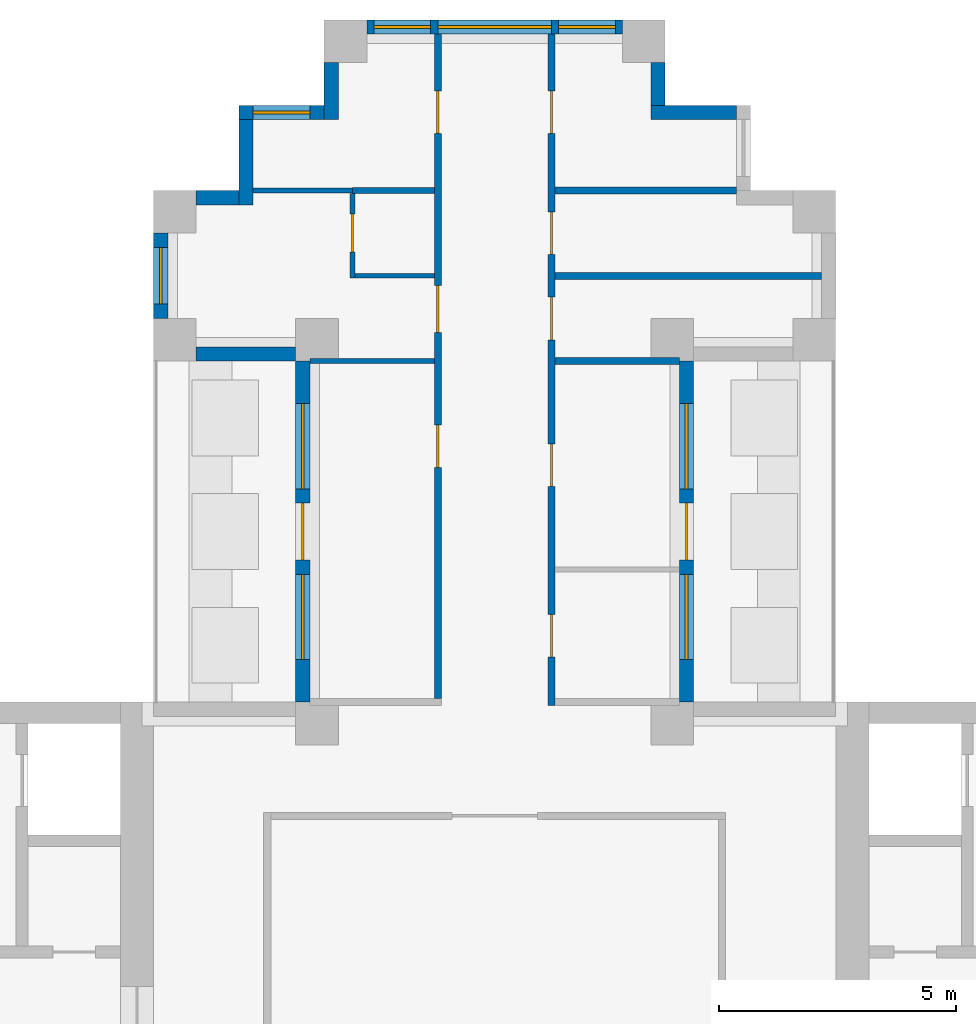
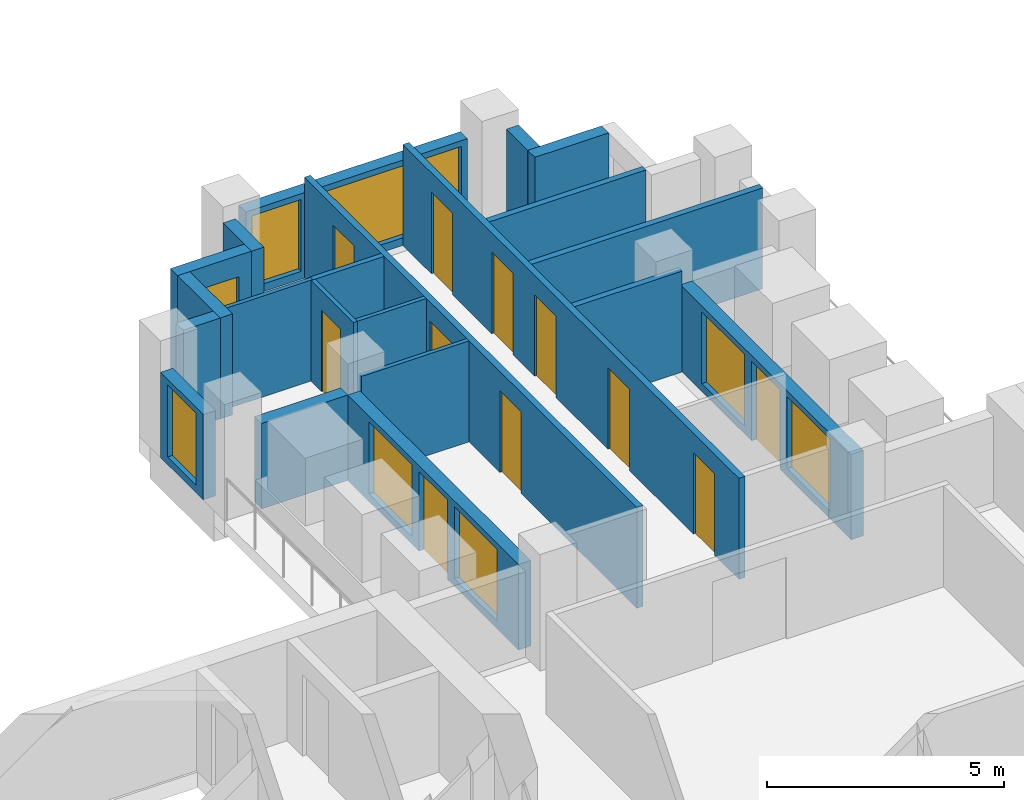
# One storey, part 7 of 11: 21 walls, 11 doors, 9 windows, 20 openings.
"""IFC4 building model written with IfcOpenShell, lengths in metres."""

from ifc_helpers import new_model, si_unit, direction, frame, frame_2d, origin, place, context, subcontext, project, spatial, rectangle, extrude, material, layer, layer_set, type_object, element, fill, save


model = new_model("IFC4")

# Units and contexts
model_context = context("Model", 3, precision=1e-05, world=origin(), true_north=direction((0.0, 1.0)))
body_context = subcontext(model_context, "Body", "Model", "MODEL_VIEW")
ifc_project = project(units=[si_unit("LENGTHUNIT", "METRE"), si_unit("AREAUNIT", "SQUARE_METRE"), si_unit("VOLUMEUNIT", "CUBIC_METRE"), si_unit("PLANEANGLEUNIT", "RADIAN"), si_unit("MASSUNIT", "GRAM", prefix="KILO")], contexts=[model_context])

# Site, building, storey
site_placement = place(None, origin())
site = spatial("IfcSite", under=ifc_project, at=site_placement, CompositionType="ELEMENT")
building_placement = place(site_placement, origin())
building = spatial("IfcBuilding", under=site, at=building_placement, Name="Fustian Cross Tower", CompositionType="ELEMENT")
storey_placement = place(building_placement, frame((0.0, 0.0, 120.300048828125)))
storey = spatial("IfcBuildingStorey", under=building, at=storey_placement, Name="L37", CompositionType="ELEMENT", Elevation=120.300048828125)

# Wall, openings, doors
ifc_material_1 = material(Name="Plasterboard on steel stud", Category="steel")
ifc_layer_1 = layer(ifc_material_1, 0.14990234375)
ifc_layer_set_1 = layer_set([ifc_layer_1], Name="Plasterboard on steel stud")
wall_type_1 = type_object("IfcWallType", Name="COMPARTMENT WALL 150 EI 60", PredefinedType="PARTITIONING", material=ifc_layer_set_1)
wall_1_placement = place(storey_placement, frame((-1.199951171875, 7.27490234375, 0.0), z_axis=(0.0, 0.0, 1.0), x_axis=(0.0, 1.0, 0.0)))
wall_1 = element("IfcWall", 1, at=wall_1_placement, inside=storey, type_object=wall_type_1, Name="Partition 33", PredefinedType="PARTITIONING", context=body_context, shape_type="SweptSolid", body=[
    extrude(rectangle(XDim=14.025146484375, YDim=0.14990234375, at=frame_2d((7.0126953125, 0.0))), origin(), (0.0, 0.0, 1.0), 2.599853515625),
])
opening_1_placement = place(wall_1_placement, frame((4.875, 0.0, 0.0)))
opening_1 = element("IfcOpeningElement", 2, at=opening_1_placement, cuts=wall_1, Name="Opening D18014", PredefinedType="OPENING", context=body_context, shape_type="SweptSolid", body=[
    extrude(rectangle(XDim=0.89990234375, YDim=2.10009765625, at=frame_2d((0.449951171875, 1.050048828125))), frame((0.0, 0.0849609375, 0.0), z_axis=(0.0, -1.0, 0.0), x_axis=(1.0, 0.0, 0.0)), (0.0, 0.0, 1.0), 0.169921875),
])
opening_2_placement = place(wall_1_placement, frame((7.72509765625, 0.0, 0.0)))
opening_2 = element("IfcOpeningElement", 3, at=opening_2_placement, cuts=wall_1, Name="Opening D18016", PredefinedType="OPENING", context=body_context, shape_type="SweptSolid", body=[
    extrude(rectangle(XDim=1.0, YDim=2.10009765625, at=frame_2d((0.5, 1.050048828125))), frame((0.0, 0.0849609375, 0.0), z_axis=(0.0, -1.0, 0.0), x_axis=(1.0, 0.0, 0.0)), (0.0, 0.0, 1.0), 0.169921875),
])
opening_3_placement = place(wall_1_placement, frame((11.925048828125, 0.0, 0.0)))
opening_3 = element("IfcOpeningElement", 4, at=opening_3_placement, cuts=wall_1, Name="Opening D18017", PredefinedType="OPENING", context=body_context, shape_type="SweptSolid", body=[
    extrude(rectangle(XDim=0.89990234375, YDim=2.10009765625, at=frame_2d((0.449951171875, 1.050048828125))), frame((0.0, 0.0849609375, 0.0), z_axis=(0.0, -1.0, 0.0), x_axis=(1.0, 0.0, 0.0)), (0.0, 0.0, 1.0), 0.169921875),
])
ifc_material_2 = material(Name="Timber fire door set", Category="wood")
door_type_1 = type_object("IfcDoorType", Name="FIRE SWING DOOR 1000 FD30S", OperationType="SINGLE_SWING_LEFT", PredefinedType="DOOR", material=ifc_material_2)
door_1_placement = place(opening_2_placement, origin())
door_1 = element("IfcDoor", 5, at=door_1_placement, inside=storey, type_object=door_type_1, Name="Door D18016", OperationType="SINGLE_SWING_RIGHT", OverallHeight=2.10009765625, OverallWidth=1.0, PredefinedType="DOOR", context=body_context, shape_type="SweptSolid", body=[
    extrude(rectangle(XDim=1.0, YDim=2.10009765625, at=frame_2d((0.5, 1.050048828125))), frame((0.0, 0.02490234375, 0.0), z_axis=(0.0, -1.0, 0.0), x_axis=(1.0, 0.0, 0.0)), (0.0, 0.0, 1.0), 0.050048828125),
])
fill(opening_2, door_1)
ifc_material_3 = material(Name="Timber fire door set", Category="wood")
door_type_2 = type_object("IfcDoorType", Name="FIRE SWING DOOR 900 FD30S", OperationType="SINGLE_SWING_LEFT", PredefinedType="DOOR", material=ifc_material_3)
door_2_placement = place(opening_1_placement, origin())
door_2 = element("IfcDoor", 6, at=door_2_placement, inside=storey, type_object=door_type_2, Name="Door D18014", OperationType="SINGLE_SWING_RIGHT", OverallHeight=2.10009765625, OverallWidth=0.89990234375, PredefinedType="DOOR", context=body_context, shape_type="SweptSolid", body=[
    extrude(rectangle(XDim=0.89990234375, YDim=2.10009765625, at=frame_2d((0.449951171875, 1.050048828125))), frame((0.0, 0.02490234375, 0.0), z_axis=(0.0, -1.0, 0.0), x_axis=(1.0, 0.0, 0.0)), (0.0, 0.0, 1.0), 0.050048828125),
])
fill(opening_1, door_2)
door_3_placement = place(opening_3_placement, origin())
door_3 = element("IfcDoor", 7, at=door_3_placement, inside=storey, type_object=door_type_2, Name="Door D18017", OperationType="SINGLE_SWING_LEFT", OverallHeight=2.10009765625, OverallWidth=0.89990234375, PredefinedType="DOOR", context=body_context, shape_type="SweptSolid", body=[
    extrude(rectangle(XDim=0.89990234375, YDim=2.10009765625, at=frame_2d((0.449951171875, 1.050048828125))), frame((0.0, 0.02490234375, 0.0), z_axis=(0.0, -1.0, 0.0), x_axis=(1.0, 0.0, 0.0)), (0.0, 0.0, 1.0), 0.050048828125),
])
fill(opening_3, door_3)

wall_2_placement = place(storey_placement, frame((1.199951171875, 7.125, 0.0), z_axis=(0.0, 0.0, 1.0), x_axis=(0.0, 1.0, 0.0)))
wall_2 = element("IfcWall", 8, at=wall_2_placement, inside=storey, type_object=wall_type_1, Name="Partition 42", PredefinedType="PARTITIONING", context=body_context, shape_type="SweptSolid", body=[
    extrude(rectangle(XDim=14.175048828125, YDim=0.14990234375, at=frame_2d((7.08740234375, 0.0))), origin(), (0.0, 0.0, 1.0), 2.599853515625),
])
opening_4_placement = place(wall_2_placement, frame((1.02490234375, 0.0, 0.0)))
opening_4 = element("IfcOpeningElement", 9, at=opening_4_placement, cuts=wall_2, Name="Opening D18018", PredefinedType="OPENING", context=body_context, shape_type="SweptSolid", body=[
    extrude(rectangle(XDim=0.89990234375, YDim=2.10009765625, at=frame_2d((0.449951171875, 1.050048828125))), frame((0.0, 0.0849609375, 0.0), z_axis=(0.0, -1.0, 0.0), x_axis=(1.0, 0.0, 0.0)), (0.0, 0.0, 1.0), 0.169921875),
])
opening_5_placement = place(wall_2_placement, frame((4.625, 0.0, 0.0)))
opening_5 = element("IfcOpeningElement", 10, at=opening_5_placement, cuts=wall_2, Name="Opening D18019", PredefinedType="OPENING", context=body_context, shape_type="SweptSolid", body=[
    extrude(rectangle(XDim=0.89990234375, YDim=2.10009765625, at=frame_2d((0.449951171875, 1.050048828125))), frame((0.0, 0.0849609375, 0.0), z_axis=(0.0, -1.0, 0.0), x_axis=(1.0, 0.0, 0.0)), (0.0, 0.0, 1.0), 0.169921875),
])
opening_6_placement = place(wall_2_placement, frame((7.72509765625, 0.0, 0.0)))
opening_6 = element("IfcOpeningElement", 11, at=opening_6_placement, cuts=wall_2, Name="Opening D18020", PredefinedType="OPENING", context=body_context, shape_type="SweptSolid", body=[
    extrude(rectangle(XDim=0.89990234375, YDim=2.10009765625, at=frame_2d((0.449951171875, 1.050048828125))), frame((0.0, 0.0849609375, 0.0), z_axis=(0.0, -1.0, 0.0), x_axis=(1.0, 0.0, 0.0)), (0.0, 0.0, 1.0), 0.169921875),
])
opening_7_placement = place(wall_2_placement, frame((9.52490234375, 0.0, 0.0)))
opening_7 = element("IfcOpeningElement", 12, at=opening_7_placement, cuts=wall_2, Name="Opening D18021", PredefinedType="OPENING", context=body_context, shape_type="SweptSolid", body=[
    extrude(rectangle(XDim=0.89990234375, YDim=2.10009765625, at=frame_2d((0.449951171875, 1.050048828125))), frame((0.0, 0.0849609375, 0.0), z_axis=(0.0, -1.0, 0.0), x_axis=(1.0, 0.0, 0.0)), (0.0, 0.0, 1.0), 0.169921875),
])
opening_8_placement = place(wall_2_placement, frame((12.074951171875, 0.0, 0.0)))
opening_8 = element("IfcOpeningElement", 13, at=opening_8_placement, cuts=wall_2, Name="Opening D18022", PredefinedType="OPENING", context=body_context, shape_type="SweptSolid", body=[
    extrude(rectangle(XDim=0.89990234375, YDim=2.10009765625, at=frame_2d((0.449951171875, 1.050048828125))), frame((0.0, 0.0849609375, 0.0), z_axis=(0.0, -1.0, 0.0), x_axis=(1.0, 0.0, 0.0)), (0.0, 0.0, 1.0), 0.169921875),
])
door_4_placement = place(opening_4_placement, frame((0.89990234375, 0.0, 0.0), z_axis=(0.0, 0.0, 1.0), x_axis=(-1.0, 0.0, 0.0)))
door_4 = element("IfcDoor", 14, at=door_4_placement, inside=storey, type_object=door_type_2, Name="Door D18018", OperationType="SINGLE_SWING_RIGHT", OverallHeight=2.10009765625, OverallWidth=0.89990234375, PredefinedType="DOOR", context=body_context, shape_type="SweptSolid", body=[
    extrude(rectangle(XDim=0.89990234375, YDim=2.10009765625, at=frame_2d((0.449951171875, 1.050048828125))), frame((0.0, 0.02490234375, 0.0), z_axis=(0.0, -1.0, 0.0), x_axis=(1.0, 0.0, 0.0)), (0.0, 0.0, 1.0), 0.050048828125),
])
fill(opening_4, door_4)
door_5_placement = place(opening_5_placement, frame((0.89990234375, 0.0, 0.0), z_axis=(0.0, 0.0, 1.0), x_axis=(-1.0, 0.0, 0.0)))
door_5 = element("IfcDoor", 15, at=door_5_placement, inside=storey, type_object=door_type_2, Name="Door D18019", OperationType="SINGLE_SWING_RIGHT", OverallHeight=2.10009765625, OverallWidth=0.89990234375, PredefinedType="DOOR", context=body_context, shape_type="SweptSolid", body=[
    extrude(rectangle(XDim=0.89990234375, YDim=2.10009765625, at=frame_2d((0.449951171875, 1.050048828125))), frame((0.0, 0.02490234375, 0.0), z_axis=(0.0, -1.0, 0.0), x_axis=(1.0, 0.0, 0.0)), (0.0, 0.0, 1.0), 0.050048828125),
])
fill(opening_5, door_5)
door_6_placement = place(opening_6_placement, origin())
door_6 = element("IfcDoor", 16, at=door_6_placement, inside=storey, type_object=door_type_2, Name="Door D18020", OperationType="SINGLE_SWING_RIGHT", OverallHeight=2.10009765625, OverallWidth=0.89990234375, PredefinedType="DOOR", context=body_context, shape_type="SweptSolid", body=[
    extrude(rectangle(XDim=0.89990234375, YDim=2.10009765625, at=frame_2d((0.449951171875, 1.050048828125))), frame((0.0, 0.02490234375, 0.0), z_axis=(0.0, -1.0, 0.0), x_axis=(1.0, 0.0, 0.0)), (0.0, 0.0, 1.0), 0.050048828125),
])
fill(opening_6, door_6)
door_7_placement = place(opening_7_placement, frame((0.89990234375, 0.0, 0.0), z_axis=(0.0, 0.0, 1.0), x_axis=(-1.0, 0.0, 0.0)))
door_7 = element("IfcDoor", 17, at=door_7_placement, inside=storey, type_object=door_type_2, Name="Door D18021", OperationType="SINGLE_SWING_LEFT", OverallHeight=2.10009765625, OverallWidth=0.89990234375, PredefinedType="DOOR", context=body_context, shape_type="SweptSolid", body=[
    extrude(rectangle(XDim=0.89990234375, YDim=2.10009765625, at=frame_2d((0.449951171875, 1.050048828125))), frame((0.0, 0.02490234375, 0.0), z_axis=(0.0, -1.0, 0.0), x_axis=(1.0, 0.0, 0.0)), (0.0, 0.0, 1.0), 0.050048828125),
])
fill(opening_7, door_7)
door_8_placement = place(opening_8_placement, frame((0.89990234375, 0.0, 0.0), z_axis=(0.0, 0.0, 1.0), x_axis=(-1.0, 0.0, 0.0)))
door_8 = element("IfcDoor", 18, at=door_8_placement, inside=storey, type_object=door_type_2, Name="Door D18022", OperationType="SINGLE_SWING_RIGHT", OverallHeight=2.10009765625, OverallWidth=0.89990234375, PredefinedType="DOOR", context=body_context, shape_type="SweptSolid", body=[
    extrude(rectangle(XDim=0.89990234375, YDim=2.10009765625, at=frame_2d((0.449951171875, 1.050048828125))), frame((0.0, 0.02490234375, 0.0), z_axis=(0.0, -1.0, 0.0), x_axis=(1.0, 0.0, 0.0)), (0.0, 0.0, 1.0), 0.050048828125),
])
fill(opening_8, door_8)

# Walls
wall_3_placement = place(storey_placement, frame((1.27490234375, 14.39990234375, 0.0), z_axis=(0.0, 0.0, 1.0), x_axis=(1.0, 0.0, 0.0)))
element("IfcWall", 19, at=wall_3_placement, inside=storey, type_object=wall_type_1, Name="Partition 45", PredefinedType="PARTITIONING", context=body_context, shape_type="SweptSolid", body=[
    extrude(rectangle(XDim=2.625, YDim=0.14990234375, at=frame_2d((1.3125, 0.0))), origin(), (0.0, 0.0, 1.0), 2.599853515625),
])
wall_4_placement = place(storey_placement, frame((1.27490234375, 16.199951171875, 0.0), z_axis=(0.0, 0.0, 1.0), x_axis=(1.0, 0.0, 0.0)))
element("IfcWall", 20, at=wall_4_placement, inside=storey, type_object=wall_type_1, Name="Partition 46", PredefinedType="PARTITIONING", context=body_context, shape_type="SweptSolid", body=[
    extrude(rectangle(XDim=5.625, YDim=0.14990234375, at=frame_2d((2.8125, 0.0))), origin(), (0.0, 0.0, 1.0), 2.599853515625),
])
wall_5_placement = place(storey_placement, frame((1.27490234375, 18.0, 0.0), z_axis=(0.0, 0.0, 1.0), x_axis=(1.0, 0.0, 0.0)))
element("IfcWall", 21, at=wall_5_placement, inside=storey, type_object=wall_type_1, Name="Partition 47", PredefinedType="PARTITIONING", context=body_context, shape_type="SweptSolid", body=[
    extrude(rectangle(XDim=3.8251953125, YDim=0.14990234375, at=frame_2d((1.91259765625, 0.0))), origin(), (0.0, 0.0, 1.0), 2.599853515625),
])
ifc_material_4 = material(Name="Plasterboard on steel stud", Category="steel")
ifc_layer_2 = layer(ifc_material_4, 0.10009765625)
ifc_layer_set_2 = layer_set([ifc_layer_2], Name="Plasterboard on steel stud")
wall_type_2 = type_object("IfcWallType", Name="PARTITION 100 STUD", PredefinedType="PARTITIONING", material=ifc_layer_set_2)
wall_6_placement = place(storey_placement, frame((-5.10009765625, 18.0, 0.0), z_axis=(0.0, 0.0, 1.0), x_axis=(1.0, 0.0, 0.0)))
element("IfcWall", 22, at=wall_6_placement, inside=storey, type_object=wall_type_2, Name="Partition 16", PredefinedType="PARTITIONING", context=body_context, shape_type="SweptSolid", body=[
    extrude(rectangle(XDim=2.10009765625, YDim=0.10009765625, at=frame_2d((1.050048828125, 0.0))), origin(), (0.0, 0.0, 1.0), 2.599853515625),
])
wall_7_placement = place(storey_placement, frame((-3.89990234375, 14.39990234375, 0.0), z_axis=(0.0, 0.0, 1.0), x_axis=(1.0, 0.0, 0.0)))
element("IfcWall", 23, at=wall_7_placement, inside=storey, type_object=wall_type_2, Name="Partition 24", PredefinedType="PARTITIONING", context=body_context, shape_type="SweptSolid", body=[
    extrude(rectangle(XDim=2.625, YDim=0.10009765625, at=frame_2d((1.3125, 0.0))), origin(), (0.0, 0.0, 1.0), 2.599853515625),
])

# Wall, opening, door
wall_8_placement = place(storey_placement, frame((-3.0, 16.14990234375, 0.0), z_axis=(0.0, 0.0, 1.0), x_axis=(0.0, 1.0, 0.0)))
wall_8 = element("IfcWall", 24, at=wall_8_placement, inside=storey, type_object=wall_type_2, Name="Partition 28", PredefinedType="PARTITIONING", context=body_context, shape_type="SweptSolid", body=[
    extrude(rectangle(XDim=1.78759765625, YDim=0.10009765625, at=frame_2d((0.893798828125, 0.0))), origin(), (0.0, 0.0, 1.0), 2.599853515625),
])
opening_9_placement = place(wall_8_placement, frame((0.550048828125, 0.0, 0.0)))
opening_9 = element("IfcOpeningElement", 25, at=opening_9_placement, cuts=wall_8, Name="Opening D18015", PredefinedType="OPENING", context=body_context, shape_type="SweptSolid", body=[
    extrude(rectangle(XDim=0.800048828125, YDim=2.10009765625, at=frame_2d((0.39990234375, 1.050048828125))), frame((0.0, 0.06005859375, 0.0), z_axis=(0.0, -1.0, 0.0), x_axis=(1.0, 0.0, 0.0)), (0.0, 0.0, 1.0), 0.1201171875),
])
ifc_material_5 = material(Name="Painted timber", Category="wood")
door_type_3 = type_object("IfcDoorType", Name="SWING DOOR 800", OperationType="SINGLE_SWING_LEFT", PredefinedType="DOOR", material=ifc_material_5)
door_9_placement = place(opening_9_placement, frame((0.800048828125, 0.0, 0.0), z_axis=(0.0, 0.0, 1.0), x_axis=(-1.0, 0.0, 0.0)))
door_9 = element("IfcDoor", 26, at=door_9_placement, inside=storey, type_object=door_type_3, Name="Door D18015", OperationType="SINGLE_SWING_LEFT", OverallHeight=2.10009765625, OverallWidth=0.800048828125, PredefinedType="DOOR", context=body_context, shape_type="SweptSolid", body=[
    extrude(rectangle(XDim=0.800048828125, YDim=2.10009765625, at=frame_2d((0.39990234375, 1.050048828125))), frame((0.0, 0.02490234375, 0.0), z_axis=(0.0, -1.0, 0.0), x_axis=(1.0, 0.0, 0.0)), (0.0, 0.0, 1.0), 0.050048828125),
])
fill(opening_9, door_9)

# Walls
wall_9_placement = place(storey_placement, frame((-2.949951171875, 16.199951171875, 0.0), z_axis=(0.0, 0.0, 1.0), x_axis=(1.0, 0.0, 0.0)))
element("IfcWall", 27, at=wall_9_placement, inside=storey, type_object=wall_type_2, Name="Partition 29", PredefinedType="PARTITIONING", context=body_context, shape_type="SweptSolid", body=[
    extrude(rectangle(XDim=1.675048828125, YDim=0.10009765625, at=frame_2d((0.83740234375, 0.0))), origin(), (0.0, 0.0, 1.0), 2.599853515625),
])
ifc_material_6 = material(Name="Plasterboard on steel stud", Category="steel")
ifc_layer_3 = layer(ifc_material_6, 0.125)
ifc_layer_set_3 = layer_set([ifc_layer_3], Name="Plasterboard on steel stud")
wall_type_3 = type_object("IfcWallType", Name="WET WALL 125 STUD", PredefinedType="PARTITIONING", material=ifc_layer_set_3)
wall_10_placement = place(storey_placement, frame((-3.0, 18.0, 0.0), z_axis=(0.0, 0.0, 1.0), x_axis=(1.0, 0.0, 0.0)))
element("IfcWall", 28, at=wall_10_placement, inside=storey, type_object=wall_type_3, Name="Partition 30", PredefinedType="PARTITIONING", context=body_context, shape_type="SweptSolid", body=[
    extrude(rectangle(XDim=1.72509765625, YDim=0.125, at=frame_2d((0.862548828125, 0.0))), origin(), (0.0, 0.0, 1.0), 2.599853515625),
])

# Wall, openings, door, windows
ifc_material_7 = material(Name="Dark aluminium cladding on insulated backing wall", Category="aluminium")
ifc_layer_4 = layer(ifc_material_7, 0.300048828125)
ifc_layer_set_4 = layer_set([ifc_layer_4], Name="Dark aluminium cladding on insulated backing wall")
wall_type_4 = type_object("IfcWallType", Name="XW1 EXTERNAL WALL 300", PredefinedType="SOLIDWALL", material=ifc_layer_set_4)
wall_11_placement = place(storey_placement, frame((4.050048828125, 7.199951171875, 0.0), z_axis=(0.0, 0.0, 1.0), x_axis=(0.0, 1.0, 0.0)))
wall_11 = element("IfcWall", 29, at=wall_11_placement, inside=storey, type_object=wall_type_4, Name="External wall", PredefinedType="SOLIDWALL", context=body_context, shape_type="SweptSolid", body=[
    extrude(rectangle(XDim=7.199951171875, YDim=0.300048828125, at=frame_2d((3.60009765625, 0.0))), origin(), (0.0, 0.0, 1.0), 2.199951171875),
])
opening_10_placement = place(wall_11_placement, frame((3.0, 0.0, 0.0)))
opening_10 = element("IfcOpeningElement", 30, at=opening_10_placement, cuts=wall_11, Name="Opening XD1", PredefinedType="OPENING", context=body_context, shape_type="SweptSolid", body=[
    extrude(rectangle(XDim=1.199951171875, YDim=2.050048828125, at=frame_2d((0.60009765625, 1.02490234375))), frame((0.0, 0.159912109375, 0.0), z_axis=(0.0, -1.0, 0.0), x_axis=(1.0, 0.0, 0.0)), (0.0, 0.0, 1.0), 0.320068359375),
])
opening_11_placement = place(wall_11_placement, frame((0.89990234375, 0.0, 0.199951171875)))
opening_11 = element("IfcOpeningElement", 31, at=opening_11_placement, cuts=wall_11, Name="Opening WN2", PredefinedType="OPENING", context=body_context, shape_type="SweptSolid", body=[
    extrude(rectangle(XDim=1.800048828125, YDim=1.85009765625, at=frame_2d((0.89990234375, 0.925048828125))), frame((0.0, 0.159912109375, 0.0), z_axis=(0.0, -1.0, 0.0), x_axis=(1.0, 0.0, 0.0)), (0.0, 0.0, 1.0), 0.320068359375),
])
opening_12_placement = place(wall_11_placement, frame((4.5, 0.0, 0.199951171875)))
opening_12 = element("IfcOpeningElement", 32, at=opening_12_placement, cuts=wall_11, Name="Opening WN2", PredefinedType="OPENING", context=body_context, shape_type="SweptSolid", body=[
    extrude(rectangle(XDim=1.800048828125, YDim=1.85009765625, at=frame_2d((0.89990234375, 0.925048828125))), frame((0.0, 0.159912109375, 0.0), z_axis=(0.0, -1.0, 0.0), x_axis=(1.0, 0.0, 0.0)), (0.0, 0.0, 1.0), 0.320068359375),
])
ifc_material_8 = material(Name="Dark anodised aluminium and double glazing", Category="aluminium")
door_type_4 = type_object("IfcDoorType", Name="ED1 BALCONY DOOR 1200X2050", OperationType="SINGLE_SWING_LEFT", PredefinedType="DOOR", material=ifc_material_8)
door_10_placement = place(opening_10_placement, origin())
door_10 = element("IfcDoor", 33, at=door_10_placement, inside=storey, type_object=door_type_4, Name="Balcony door", OperationType="SINGLE_SWING_LEFT", OverallHeight=2.050048828125, OverallWidth=1.199951171875, PredefinedType="DOOR", context=body_context, shape_type="SweptSolid", body=[
    extrude(rectangle(XDim=1.199951171875, YDim=2.050048828125, at=frame_2d((0.60009765625, 1.02490234375))), frame((0.0, 0.02490234375, 0.0), z_axis=(0.0, -1.0, 0.0), x_axis=(1.0, 0.0, 0.0)), (0.0, 0.0, 1.0), 0.050048828125),
])
fill(opening_10, door_10)
ifc_material_9 = material(Name="Dark anodised aluminium and double glazing", Category="aluminium")
window_type_1 = type_object("IfcWindowType", Name="WN2 WINDOW 1800X1850", PartitioningType="SINGLE_PANEL", PredefinedType="WINDOW", material=ifc_material_9)
window_1_placement = place(opening_11_placement, origin())
window_1 = element("IfcWindow", 34, at=window_1_placement, inside=storey, type_object=window_type_1, Name="Window", OverallHeight=1.85009765625, OverallWidth=1.800048828125, PartitioningType="SINGLE_PANEL", PredefinedType="WINDOW", context=body_context, shape_type="SweptSolid", body=[
    extrude(rectangle(XDim=1.800048828125, YDim=1.85009765625, at=frame_2d((0.89990234375, 0.925048828125))), frame((0.0, 0.030029296875, 0.0), z_axis=(0.0, -1.0, 0.0), x_axis=(1.0, 0.0, 0.0)), (0.0, 0.0, 1.0), 0.06005859375),
])
fill(opening_11, window_1)
window_2_placement = place(opening_12_placement, origin())
window_2 = element("IfcWindow", 35, at=window_2_placement, inside=storey, type_object=window_type_1, Name="Window", OverallHeight=1.85009765625, OverallWidth=1.800048828125, PartitioningType="SINGLE_PANEL", PredefinedType="WINDOW", context=body_context, shape_type="SweptSolid", body=[
    extrude(rectangle(XDim=1.800048828125, YDim=1.85009765625, at=frame_2d((0.89990234375, 0.925048828125))), frame((0.0, 0.030029296875, 0.0), z_axis=(0.0, -1.0, 0.0), x_axis=(1.0, 0.0, 0.0)), (0.0, 0.0, 1.0), 0.06005859375),
])
fill(opening_12, window_2)

# Walls
wall_12_placement = place(storey_placement, frame((5.10009765625, 19.64990234375, 0.0), z_axis=(0.0, 0.0, 1.0), x_axis=(-1.0, 0.0, 0.0)))
element("IfcWall", 36, at=wall_12_placement, inside=storey, type_object=wall_type_4, Name="External wall", PredefinedType="SOLIDWALL", context=body_context, shape_type="SweptSolid", body=[
    extrude(rectangle(XDim=1.800048828125, YDim=0.300048828125, at=frame_2d((0.89990234375, 0.0))), origin(), (0.0, 0.0, 1.0), 2.599853515625),
])
wall_13_placement = place(storey_placement, frame((3.449951171875, 19.800048828125, 0.0), z_axis=(0.0, 0.0, 1.0), x_axis=(0.0, 1.0, 0.0)))
element("IfcWall", 37, at=wall_13_placement, inside=storey, type_object=wall_type_4, Name="External wall", PredefinedType="SOLIDWALL", context=body_context, shape_type="SweptSolid", body=[
    extrude(rectangle(XDim=0.89990234375, YDim=0.300048828125, at=frame_2d((0.449951171875, 0.0))), origin(), (0.0, 0.0, 1.0), 2.599853515625),
])

# Wall, openings, windows
wall_14_placement = place(storey_placement, frame((2.699951171875, 21.449951171875, 0.0), z_axis=(0.0, 0.0, 1.0), x_axis=(-1.0, 0.0, 0.0)))
wall_14 = element("IfcWall", 38, at=wall_14_placement, inside=storey, type_object=wall_type_4, Name="External wall", PredefinedType="SOLIDWALL", context=body_context, shape_type="SweptSolid", body=[
    extrude(rectangle(XDim=5.39990234375, YDim=0.300048828125, at=frame_2d((2.699951171875, 0.0))), origin(), (0.0, 0.0, 1.0), 2.199951171875),
])
opening_13_placement = place(wall_14_placement, frame((1.5, 0.0, 0.199951171875)))
opening_13 = element("IfcOpeningElement", 39, at=opening_13_placement, cuts=wall_14, Name="Opening WN1", PredefinedType="OPENING", context=body_context, shape_type="SweptSolid", body=[
    extrude(rectangle(XDim=2.39990234375, YDim=1.85009765625, at=frame_2d((1.199951171875, 0.925048828125))), frame((0.0, 0.159912109375, 0.0), z_axis=(0.0, -1.0, 0.0), x_axis=(1.0, 0.0, 0.0)), (0.0, 0.0, 1.0), 0.320068359375),
])
opening_14_placement = place(wall_14_placement, frame((0.14990234375, 0.0, 0.199951171875)))
opening_14 = element("IfcOpeningElement", 40, at=opening_14_placement, cuts=wall_14, Name="Opening WN3", PredefinedType="OPENING", context=body_context, shape_type="SweptSolid", body=[
    extrude(rectangle(XDim=1.199951171875, YDim=1.85009765625, at=frame_2d((0.60009765625, 0.925048828125))), frame((0.0, 0.159912109375, 0.0), z_axis=(0.0, -1.0, 0.0), x_axis=(1.0, 0.0, 0.0)), (0.0, 0.0, 1.0), 0.320068359375),
])
opening_15_placement = place(wall_14_placement, frame((4.050048828125, 0.0, 0.199951171875)))
opening_15 = element("IfcOpeningElement", 41, at=opening_15_placement, cuts=wall_14, Name="Opening WN3", PredefinedType="OPENING", context=body_context, shape_type="SweptSolid", body=[
    extrude(rectangle(XDim=1.199951171875, YDim=1.85009765625, at=frame_2d((0.60009765625, 0.925048828125))), frame((0.0, 0.159912109375, 0.0), z_axis=(0.0, -1.0, 0.0), x_axis=(1.0, 0.0, 0.0)), (0.0, 0.0, 1.0), 0.320068359375),
])
ifc_material_10 = material(Name="Dark anodised aluminium and double glazing", Category="aluminium")
window_type_2 = type_object("IfcWindowType", Name="WN1 WINDOW 2400X1850", PartitioningType="SINGLE_PANEL", PredefinedType="WINDOW", material=ifc_material_10)
window_3_placement = place(opening_13_placement, origin())
window_3 = element("IfcWindow", 42, at=window_3_placement, inside=storey, type_object=window_type_2, Name="Window", OverallHeight=1.85009765625, OverallWidth=2.39990234375, PartitioningType="SINGLE_PANEL", PredefinedType="WINDOW", context=body_context, shape_type="SweptSolid", body=[
    extrude(rectangle(XDim=2.39990234375, YDim=1.85009765625, at=frame_2d((1.199951171875, 0.925048828125))), frame((0.0, 0.030029296875, 0.0), z_axis=(0.0, -1.0, 0.0), x_axis=(1.0, 0.0, 0.0)), (0.0, 0.0, 1.0), 0.06005859375),
])
fill(opening_13, window_3)
ifc_material_11 = material(Name="Dark anodised aluminium and double glazing", Category="aluminium")
window_type_3 = type_object("IfcWindowType", Name="WN3 WINDOW 1200X1850", PartitioningType="SINGLE_PANEL", PredefinedType="WINDOW", material=ifc_material_11)
window_4_placement = place(opening_14_placement, origin())
window_4 = element("IfcWindow", 43, at=window_4_placement, inside=storey, type_object=window_type_3, Name="Window", OverallHeight=1.85009765625, OverallWidth=1.199951171875, PartitioningType="SINGLE_PANEL", PredefinedType="WINDOW", context=body_context, shape_type="SweptSolid", body=[
    extrude(rectangle(XDim=1.199951171875, YDim=1.85009765625, at=frame_2d((0.60009765625, 0.925048828125))), frame((0.0, 0.030029296875, 0.0), z_axis=(0.0, -1.0, 0.0), x_axis=(1.0, 0.0, 0.0)), (0.0, 0.0, 1.0), 0.06005859375),
])
fill(opening_14, window_4)
window_5_placement = place(opening_15_placement, origin())
window_5 = element("IfcWindow", 44, at=window_5_placement, inside=storey, type_object=window_type_3, Name="Window", OverallHeight=1.85009765625, OverallWidth=1.199951171875, PartitioningType="SINGLE_PANEL", PredefinedType="WINDOW", context=body_context, shape_type="SweptSolid", body=[
    extrude(rectangle(XDim=1.199951171875, YDim=1.85009765625, at=frame_2d((0.60009765625, 0.925048828125))), frame((0.0, 0.030029296875, 0.0), z_axis=(0.0, -1.0, 0.0), x_axis=(1.0, 0.0, 0.0)), (0.0, 0.0, 1.0), 0.06005859375),
])
fill(opening_15, window_5)

# Wall
wall_15_placement = place(storey_placement, frame((-3.449951171875, 20.699951171875, 0.0), z_axis=(0.0, 0.0, 1.0), x_axis=(0.0, -1.0, 0.0)))
element("IfcWall", 45, at=wall_15_placement, inside=storey, type_object=wall_type_4, Name="External wall", PredefinedType="SOLIDWALL", context=body_context, shape_type="SweptSolid", body=[
    extrude(rectangle(XDim=1.199951171875, YDim=0.300048828125, at=frame_2d((0.60009765625, 0.0))), origin(), (0.0, 0.0, 1.0), 2.599853515625),
])

# Wall, opening, window
wall_16_placement = place(storey_placement, frame((-3.60009765625, 19.64990234375, 0.0), z_axis=(0.0, 0.0, 1.0), x_axis=(-1.0, 0.0, 0.0)))
wall_16 = element("IfcWall", 46, at=wall_16_placement, inside=storey, type_object=wall_type_4, Name="External wall", PredefinedType="SOLIDWALL", context=body_context, shape_type="SweptSolid", body=[
    extrude(rectangle(XDim=1.7998046875, YDim=0.300048828125, at=frame_2d((0.89990234375, 0.0))), origin(), (0.0, 0.0, 1.0), 2.599853515625),
])
opening_16_placement = place(wall_16_placement, frame((0.300048828125, 0.0, 0.199951171875)))
opening_16 = element("IfcOpeningElement", 47, at=opening_16_placement, cuts=wall_16, Name="Opening WN3", PredefinedType="OPENING", context=body_context, shape_type="SweptSolid", body=[
    extrude(rectangle(XDim=1.199951171875, YDim=1.85009765625, at=frame_2d((0.60009765625, 0.925048828125))), frame((0.0, 0.159912109375, 0.0), z_axis=(0.0, -1.0, 0.0), x_axis=(1.0, 0.0, 0.0)), (0.0, 0.0, 1.0), 0.320068359375),
])
window_6_placement = place(opening_16_placement, origin())
window_6 = element("IfcWindow", 48, at=window_6_placement, inside=storey, type_object=window_type_3, Name="Window", OverallHeight=1.85009765625, OverallWidth=1.199951171875, PartitioningType="SINGLE_PANEL", PredefinedType="WINDOW", context=body_context, shape_type="SweptSolid", body=[
    extrude(rectangle(XDim=1.199951171875, YDim=1.85009765625, at=frame_2d((0.60009765625, 0.925048828125))), frame((0.0, 0.030029296875, 0.0), z_axis=(0.0, -1.0, 0.0), x_axis=(1.0, 0.0, 0.0)), (0.0, 0.0, 1.0), 0.06005859375),
])
fill(opening_16, window_6)

# Walls
wall_17_placement = place(storey_placement, frame((-5.25, 19.5, 0.0), z_axis=(0.0, 0.0, 1.0), x_axis=(0.0, -1.0, 0.0)))
element("IfcWall", 49, at=wall_17_placement, inside=storey, type_object=wall_type_4, Name="External wall", PredefinedType="SOLIDWALL", context=body_context, shape_type="SweptSolid", body=[
    extrude(rectangle(XDim=1.800048828125, YDim=0.300048828125, at=frame_2d((0.89990234375, 0.0))), origin(), (0.0, 0.0, 1.0), 2.599853515625),
])
wall_18_placement = place(storey_placement, frame((-5.39990234375, 17.85009765625, 0.0), z_axis=(0.0, 0.0, 1.0), x_axis=(-1.0, 0.0, 0.0)))
element("IfcWall", 50, at=wall_18_placement, inside=storey, type_object=wall_type_4, Name="External wall", PredefinedType="SOLIDWALL", context=body_context, shape_type="SweptSolid", body=[
    extrude(rectangle(XDim=0.900146484375, YDim=0.300048828125, at=frame_2d((0.4501953125, 0.0))), origin(), (0.0, 0.0, 1.0), 2.599853515625),
])

# Wall, opening, window
wall_19_placement = place(storey_placement, frame((-7.050048828125, 17.10009765625, 0.0), z_axis=(0.0, 0.0, 1.0), x_axis=(0.0, -1.0, 0.0)))
wall_19 = element("IfcWall", 51, at=wall_19_placement, inside=storey, type_object=wall_type_4, Name="External wall", PredefinedType="SOLIDWALL", context=body_context, shape_type="SweptSolid", body=[
    extrude(rectangle(XDim=1.800048828125, YDim=0.300048828125, at=frame_2d((0.89990234375, 0.0))), origin(), (0.0, 0.0, 1.0), 2.199951171875),
])
opening_17_placement = place(wall_19_placement, frame((0.300048828125, 0.0, 0.199951171875)))
opening_17 = element("IfcOpeningElement", 52, at=opening_17_placement, cuts=wall_19, Name="Opening WN3", PredefinedType="OPENING", context=body_context, shape_type="SweptSolid", body=[
    extrude(rectangle(XDim=1.199951171875, YDim=1.85009765625, at=frame_2d((0.60009765625, 0.925048828125))), frame((0.0, 0.159912109375, 0.0), z_axis=(0.0, -1.0, 0.0), x_axis=(1.0, 0.0, 0.0)), (0.0, 0.0, 1.0), 0.320068359375),
])
window_7_placement = place(opening_17_placement, origin())
window_7 = element("IfcWindow", 53, at=window_7_placement, inside=storey, type_object=window_type_3, Name="Window", OverallHeight=1.85009765625, OverallWidth=1.199951171875, PartitioningType="SINGLE_PANEL", PredefinedType="WINDOW", context=body_context, shape_type="SweptSolid", body=[
    extrude(rectangle(XDim=1.199951171875, YDim=1.85009765625, at=frame_2d((0.60009765625, 0.925048828125))), frame((0.0, 0.030029296875, 0.0), z_axis=(0.0, -1.0, 0.0), x_axis=(1.0, 0.0, 0.0)), (0.0, 0.0, 1.0), 0.06005859375),
])
fill(opening_17, window_7)

# Wall
wall_20_placement = place(storey_placement, frame((-6.300048828125, 14.550048828125, 0.0), z_axis=(0.0, 0.0, 1.0), x_axis=(1.0, 0.0, 0.0)))
element("IfcWall", 54, at=wall_20_placement, inside=storey, type_object=wall_type_4, Name="External wall", PredefinedType="SOLIDWALL", context=body_context, shape_type="SweptSolid", body=[
    extrude(rectangle(XDim=2.10009765625, YDim=0.300048828125, at=frame_2d((1.050048828125, 0.0))), origin(), (0.0, 0.0, 1.0), 2.199951171875),
])

# Wall, openings, door, windows
wall_21_placement = place(storey_placement, frame((-4.050048828125, 14.39990234375, 0.0), z_axis=(0.0, 0.0, 1.0), x_axis=(0.0, -1.0, 0.0)))
wall_21 = element("IfcWall", 55, at=wall_21_placement, inside=storey, type_object=wall_type_4, Name="External wall", PredefinedType="SOLIDWALL", context=body_context, shape_type="SweptSolid", body=[
    extrude(rectangle(XDim=7.199951171875, YDim=0.300048828125, at=frame_2d((3.60009765625, 0.0))), origin(), (0.0, 0.0, 1.0), 2.199951171875),
])
opening_18_placement = place(wall_21_placement, frame((3.0, 0.0, 0.0)))
opening_18 = element("IfcOpeningElement", 56, at=opening_18_placement, cuts=wall_21, Name="Opening XD2", PredefinedType="OPENING", context=body_context, shape_type="SweptSolid", body=[
    extrude(rectangle(XDim=1.199951171875, YDim=2.050048828125, at=frame_2d((0.60009765625, 1.02490234375))), frame((0.0, 0.159912109375, 0.0), z_axis=(0.0, -1.0, 0.0), x_axis=(1.0, 0.0, 0.0)), (0.0, 0.0, 1.0), 0.320068359375),
])
opening_19_placement = place(wall_21_placement, frame((0.89990234375, 0.0, 0.199951171875)))
opening_19 = element("IfcOpeningElement", 57, at=opening_19_placement, cuts=wall_21, Name="Opening WN2", PredefinedType="OPENING", context=body_context, shape_type="SweptSolid", body=[
    extrude(rectangle(XDim=1.800048828125, YDim=1.85009765625, at=frame_2d((0.89990234375, 0.925048828125))), frame((0.0, 0.159912109375, 0.0), z_axis=(0.0, -1.0, 0.0), x_axis=(1.0, 0.0, 0.0)), (0.0, 0.0, 1.0), 0.320068359375),
])
opening_20_placement = place(wall_21_placement, frame((4.5, 0.0, 0.199951171875)))
opening_20 = element("IfcOpeningElement", 58, at=opening_20_placement, cuts=wall_21, Name="Opening WN2", PredefinedType="OPENING", context=body_context, shape_type="SweptSolid", body=[
    extrude(rectangle(XDim=1.800048828125, YDim=1.85009765625, at=frame_2d((0.89990234375, 0.925048828125))), frame((0.0, 0.159912109375, 0.0), z_axis=(0.0, -1.0, 0.0), x_axis=(1.0, 0.0, 0.0)), (0.0, 0.0, 1.0), 0.320068359375),
])
door_11_placement = place(opening_18_placement, origin())
door_11 = element("IfcDoor", 59, at=door_11_placement, inside=storey, type_object=door_type_4, Name="Balcony door", OperationType="SINGLE_SWING_LEFT", OverallHeight=2.050048828125, OverallWidth=1.199951171875, PredefinedType="DOOR", context=body_context, shape_type="SweptSolid", body=[
    extrude(rectangle(XDim=1.199951171875, YDim=2.050048828125, at=frame_2d((0.60009765625, 1.02490234375))), frame((0.0, 0.02490234375, 0.0), z_axis=(0.0, -1.0, 0.0), x_axis=(1.0, 0.0, 0.0)), (0.0, 0.0, 1.0), 0.050048828125),
])
fill(opening_18, door_11)
window_8_placement = place(opening_19_placement, origin())
window_8 = element("IfcWindow", 60, at=window_8_placement, inside=storey, type_object=window_type_1, Name="Window", OverallHeight=1.85009765625, OverallWidth=1.800048828125, PartitioningType="SINGLE_PANEL", PredefinedType="WINDOW", context=body_context, shape_type="SweptSolid", body=[
    extrude(rectangle(XDim=1.800048828125, YDim=1.85009765625, at=frame_2d((0.89990234375, 0.925048828125))), frame((0.0, 0.030029296875, 0.0), z_axis=(0.0, -1.0, 0.0), x_axis=(1.0, 0.0, 0.0)), (0.0, 0.0, 1.0), 0.06005859375),
])
fill(opening_19, window_8)
window_9_placement = place(opening_20_placement, origin())
window_9 = element("IfcWindow", 61, at=window_9_placement, inside=storey, type_object=window_type_1, Name="Window", OverallHeight=1.85009765625, OverallWidth=1.800048828125, PartitioningType="SINGLE_PANEL", PredefinedType="WINDOW", context=body_context, shape_type="SweptSolid", body=[
    extrude(rectangle(XDim=1.800048828125, YDim=1.85009765625, at=frame_2d((0.89990234375, 0.925048828125))), frame((0.0, 0.030029296875, 0.0), z_axis=(0.0, -1.0, 0.0), x_axis=(1.0, 0.0, 0.0)), (0.0, 0.0, 1.0), 0.06005859375),
])
fill(opening_20, window_9)

save(model, "model.ifc")
